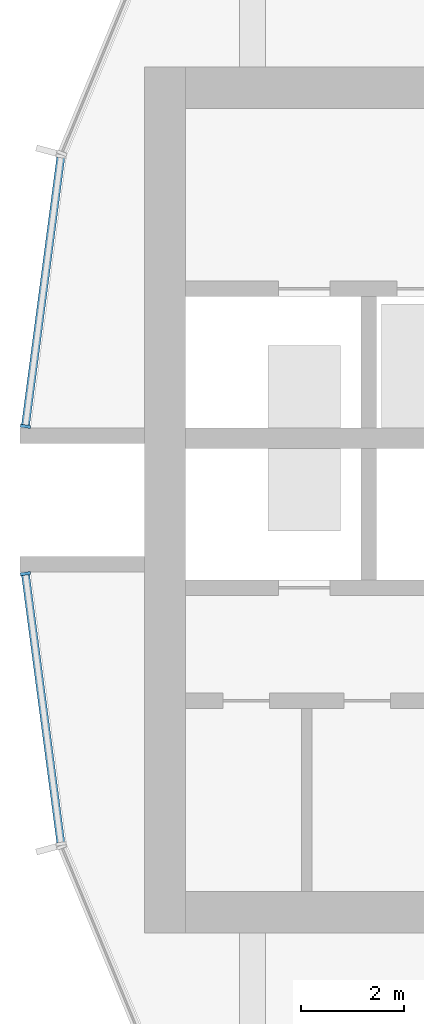
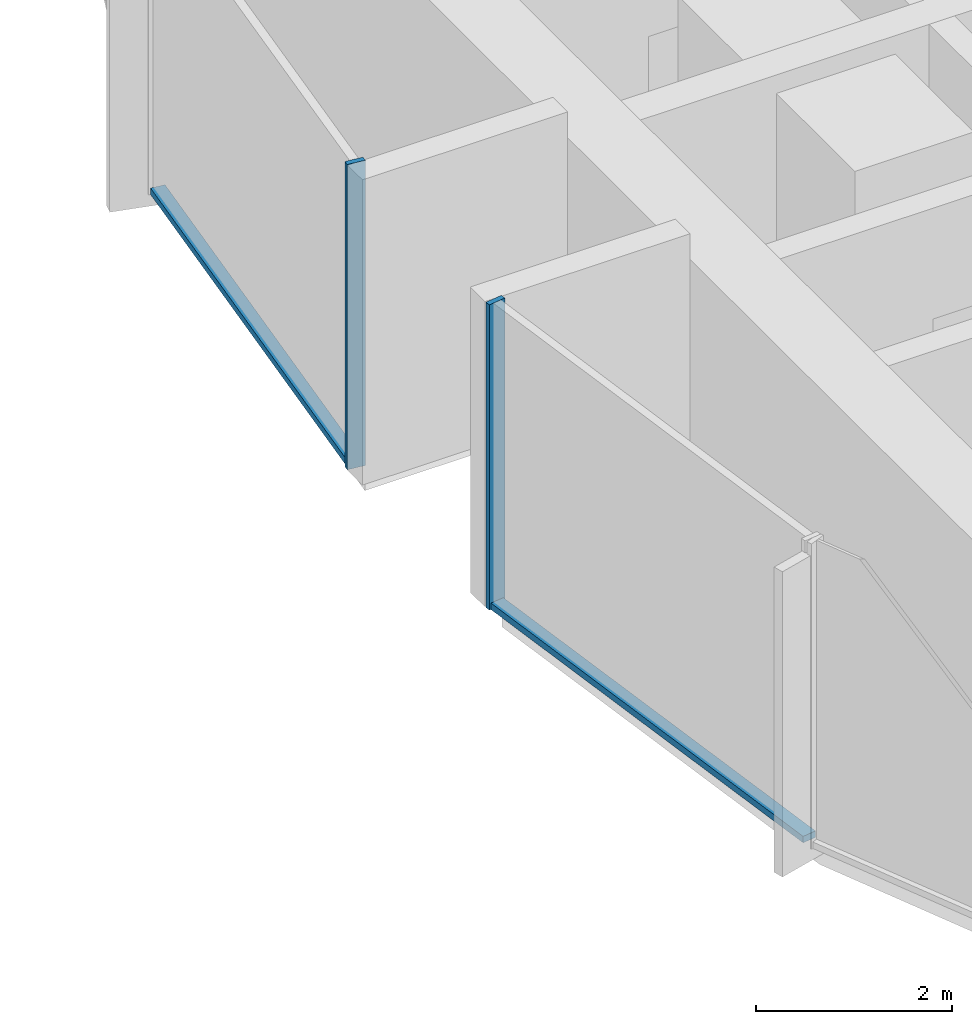
# One storey, part 3 of 15: 4 members, 2 elements without a shape of their own.
"""IFC4 building model written with IfcOpenShell, lengths in metres."""

from ifc_helpers import new_model, si_unit, direction, frame, origin, origin_2d, place, context, subcontext, project, spatial, rectangle, extrude, material, layer, layer_set, material_profile, profile_set, type_object, element, aggregate, save


model = new_model("IFC4")

# Units and contexts
model_context = context("Model", 3, precision=1e-05, world=origin(), true_north=direction((0.0, 1.0)))
body_context = subcontext(model_context, "Body", "Model", "MODEL_VIEW")
ifc_project = project(units=[si_unit("LENGTHUNIT", "METRE"), si_unit("AREAUNIT", "SQUARE_METRE"), si_unit("VOLUMEUNIT", "CUBIC_METRE"), si_unit("PLANEANGLEUNIT", "RADIAN"), si_unit("MASSUNIT", "GRAM", prefix="KILO")], contexts=[model_context])

# Site, building, storey
site_placement = place(None, origin())
site = spatial("IfcSite", under=ifc_project, at=site_placement, CompositionType="ELEMENT")
building_placement = place(site_placement, origin())
building = spatial("IfcBuilding", under=site, at=building_placement, Name="Torre Brocal", CompositionType="ELEMENT")
storey_placement = place(building_placement, frame((0.0, 0.0, 90.0)))
storey = spatial("IfcBuildingStorey", under=building, at=storey_placement, Name="L20", CompositionType="ELEMENT", Elevation=90.0)

# Curtain wall, member
ifc_material_1 = material(Name="Aluminium and glass", Category="aluminium")
ifc_layer = layer(ifc_material_1, 0.199951171875)
ifc_layer_set = layer_set([ifc_layer], Name="Aluminium and glass")
curtain_wall_type = type_object("IfcCurtainWallType", Name="CW-1B CURTAIN WALL 3800 HIGH", PredefinedType="NOTDEFINED", material=ifc_layer_set)
curtain_wall_1_placement = place(storey_placement, origin())
curtain_wall_1 = element("IfcCurtainWall", 1, at=curtain_wall_1_placement, inside=storey, type_object=curtain_wall_type, Name="CW-1B RUN 12", PredefinedType="NOTDEFINED")
ifc_material_2 = material(Name="Aluminium, dark anodised", Category="aluminium")
ifc_material_profile_1 = material_profile(ifc_material_2, rectangle(XDim=0.199951171875, YDim=0.06005859375, at=origin_2d()), Name="CW-1B MULLION 60X200")
ifc_profile_set_1 = profile_set([ifc_material_profile_1], Name="Aluminium, dark anodised")
member_type_1 = type_object("IfcMemberType", Name="CW-1B MULLION 60X200", PredefinedType="MULLION", material=ifc_profile_set_1)
member_1_placement = place(storey_placement, frame((54.2890625, 76.4296875, 0.0), z_axis=(0.0, 0.0, 1.0), x_axis=(0.991444861374, -0.13052619222, 0.0)))
member_1 = element("IfcMember", 2, at=member_1_placement, type_object=member_type_1, Name="CW1B-1 mullion 2", PredefinedType="MULLION", context=body_context, shape_type="SweptSolid", body=[
    extrude(rectangle(XDim=0.199951171875, YDim=0.06005859375, at=origin_2d()), origin(), (0.0, 0.0, 1.0), 3.800048828125),
])

curtain_wall_2_placement = place(storey_placement, origin())
curtain_wall_2 = element("IfcCurtainWall", 3, at=curtain_wall_2_placement, inside=storey, type_object=curtain_wall_type, Name="CW-1B RUN 13", PredefinedType="NOTDEFINED")
member_2_placement = place(storey_placement, frame((54.2890625, 73.5703125, 0.0), z_axis=(0.0, 0.0, 1.0), x_axis=(0.991444861374, 0.13052619222, 0.0)))
member_2 = element("IfcMember", 4, at=member_2_placement, type_object=member_type_1, Name="CW1B-1 mullion 1", PredefinedType="MULLION", context=body_context, shape_type="SweptSolid", body=[
    extrude(rectangle(XDim=0.199951171875, YDim=0.06005859375, at=origin_2d()), origin(), (0.0, 0.0, 1.0), 3.800048828125),
])

# Member
ifc_material_3 = material(Name="Aluminium, dark anodised", Category="aluminium")
ifc_material_profile_2 = material_profile(ifc_material_3, rectangle(XDim=0.159912109375, YDim=0.080078125, at=origin_2d()), Name="CW-1B TRANSOM 160X80")
ifc_profile_set_2 = profile_set([ifc_material_profile_2], Name="Aluminium, dark anodised")
member_type_2 = type_object("IfcMemberType", Name="CW-1B TRANSOM 160X80", PredefinedType="USERDEFINED", material=ifc_profile_set_2)
member_3_placement = place(storey_placement, frame((54.9755859375, 81.643798828125, 0.0400390625), z_axis=(-0.130542677827, -0.991442690863, 0.0), x_axis=(0.991442690863, -0.130542677827, 0.0)))
member_3 = element("IfcMember", 5, at=member_3_placement, type_object=member_type_2, Name="CW1B-1 transom 1.1", ObjectType="TRANSOM", PredefinedType="USERDEFINED", context=body_context, shape_type="SweptSolid", body=[
    extrude(rectangle(XDim=0.159912109375, YDim=0.080078125, at=origin_2d()), origin(), (0.0, 0.0, 1.0), 5.22900390625),
])

aggregate(curtain_wall_1, [member_1, member_3])

member_4_placement = place(storey_placement, frame((54.29296875, 73.54052734375, 0.0400390625), z_axis=(0.130542677827, -0.991442690863, 0.0), x_axis=(0.991442690863, 0.130542677827, 0.0)))
member_4 = element("IfcMember", 6, at=member_4_placement, type_object=member_type_2, Name="CW1B-1 transom 1.1", ObjectType="TRANSOM", PredefinedType="USERDEFINED", context=body_context, shape_type="SweptSolid", body=[
    extrude(rectangle(XDim=0.159912109375, YDim=0.080078125, at=origin_2d()), origin(), (0.0, 0.0, 1.0), 5.22900390625),
])

aggregate(curtain_wall_2, [member_2, member_4])

save(model, "model.ifc")
